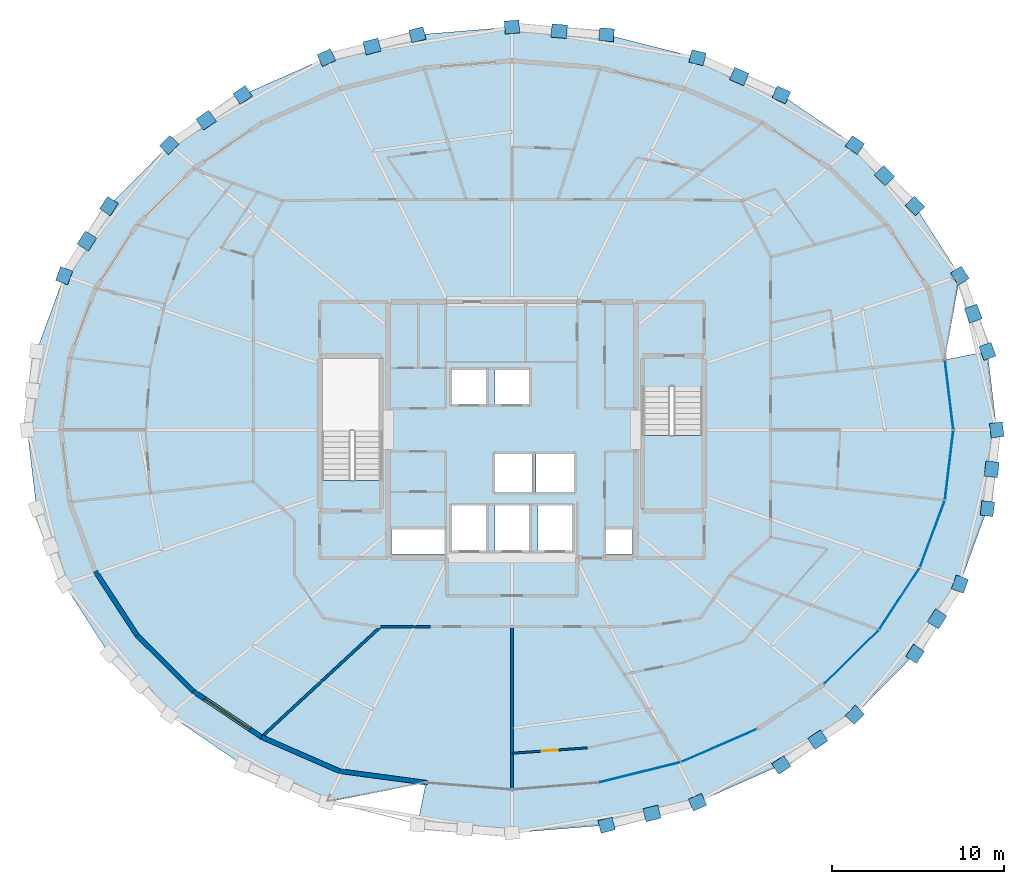
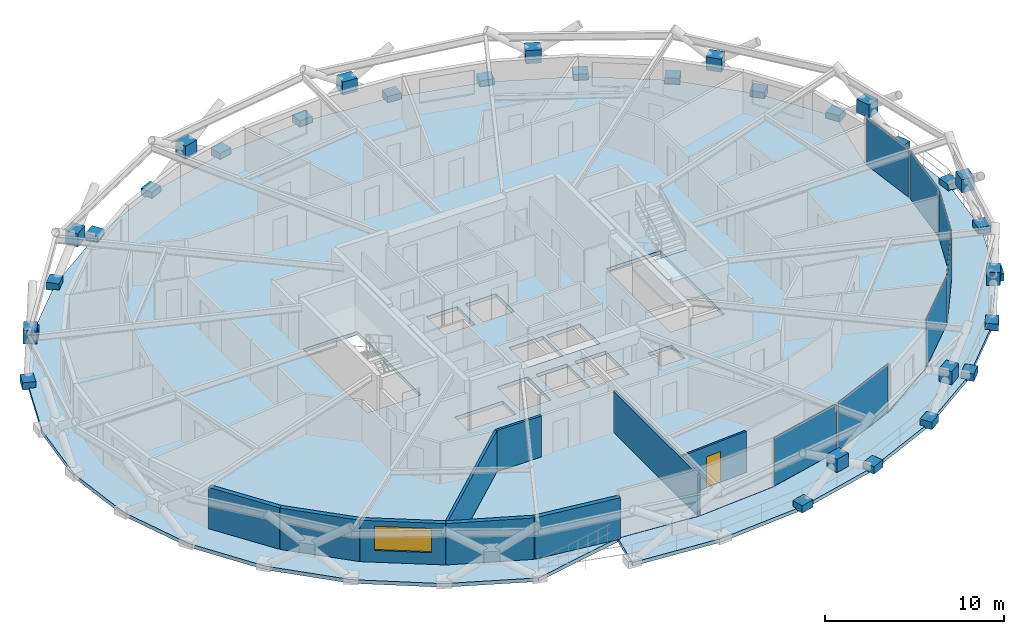
# One storey, part 13 of 19: 40 plates, 9 walls, 3 slabs, 1 door, 1 window, 2 openings, 3 elements without a shape of their own.
"""IFC4 building model written with IfcOpenShell, lengths in metres."""

import ifcopenshell
import ifcopenshell.guid

model = None  # the IFC model being written
_history = None  # IfcOwnerHistory: only IFC2X3 demands one
_inside = {}  # id of a spatial element -> (the spatial element, [elements in it])
_under = {}  # id of a project, library or spatial element -> (it, [spatial elements below it])
_declared = {}  # id of a project -> (the project, [libraries it declares])
_typed = {}  # id of a type object -> (the type object, [elements of that type])
_made_of = {}  # id of a material, layer set ... -> (it, [elements and type objects made of it])


def new_model(schema):
    """Start an empty IFC model of exactly this schema.

    Asked for "IFC4X3", IfcOpenShell would pick the latest addendum, in which some entities
    have other attributes; the version numbers below select the first issue.
    IFC2X3 requires an IfcOwnerHistory on every rooted entity: one is made here for all.
    """
    global model, _history
    if schema == "IFC4X3":
        model = ifcopenshell.file(schema_version=(4, 3, 0, 0))
    else:
        model = ifcopenshell.file(schema=schema)
    _inside.clear()
    _under.clear()
    _declared.clear()
    _typed.clear()
    _made_of.clear()
    _history = None
    if model.schema == "IFC2X3":
        org = make("IfcOrganization", Name="unknown")
        user = make(
            "IfcPersonAndOrganization",
            ThePerson=make("IfcPerson", FamilyName="unknown"),
            TheOrganization=org,
        )
        app = make(
            "IfcApplication",
            ApplicationDeveloper=org,
            Version="unknown",
            ApplicationFullName="unknown",
            ApplicationIdentifier="unknown",
        )
        _history = make(
            "IfcOwnerHistory",
            OwningUser=user,
            OwningApplication=app,
            ChangeAction="ADDED",
            CreationDate=0,
        )
    return model


def make(cls, **values):
    """One entity of the class cls with the attributes given. An attribute that is None is left unset."""
    return model.create_entity(
        cls, **{name: value for name, value in values.items() if value is not None}
    )


def rooted(cls, **values):
    """An entity with a GlobalId (a new one), such as an element, a storey or a relation."""
    return make(cls, GlobalId=ifcopenshell.guid.new(), OwnerHistory=_history, **values)


def si_unit(unit_type, name, prefix=None):
    """IfcSIUnit, for example si_unit("LENGTHUNIT", "METRE", prefix="MILLI")."""
    return make("IfcSIUnit", UnitType=unit_type, Prefix=prefix, Name=name)


def assignment(units):
    """IfcUnitAssignment: the units of a project."""
    return None if units is None else make("IfcUnitAssignment", Units=units)


def point(xyz):
    """IfcCartesianPoint."""
    return None if xyz is None else make("IfcCartesianPoint", Coordinates=xyz)


def direction(xyz):
    """IfcDirection."""
    return None if xyz is None else make("IfcDirection", DirectionRatios=xyz)


def frame(location, z_axis=None, x_axis=None):
    """IfcAxis2Placement3D, a coordinate frame: its origin and axes. An axis left out is left unset."""
    return make(
        "IfcAxis2Placement3D",
        Location=point(location),
        Axis=direction(z_axis),
        RefDirection=direction(x_axis),
    )


def frame_2d(location, x_axis=None):
    """IfcAxis2Placement2D, a coordinate frame in the plane: its origin and x axis."""
    return make(
        "IfcAxis2Placement2D", Location=point(location), RefDirection=direction(x_axis)
    )


def origin():
    """The frame at (0, 0, 0) with its axes left unset."""
    return frame((0.0, 0.0, 0.0))


def origin_2d():
    """The frame at (0, 0) in the plane with its x axis left unset."""
    return frame_2d((0.0, 0.0))


def place(relative_to, where):
    """IfcLocalPlacement: puts the frame where relative to a parent placement (None: the world)."""
    return make(
        "IfcLocalPlacement", PlacementRelTo=relative_to, RelativePlacement=where
    )


def context(
    kind, dimensions, precision=None, world=None, true_north=None, identifier=None
):
    """IfcGeometricRepresentationContext, for example the 3D "Model" context."""
    return make(
        "IfcGeometricRepresentationContext",
        ContextIdentifier=identifier,
        ContextType=kind,
        CoordinateSpaceDimension=dimensions,
        Precision=precision,
        WorldCoordinateSystem=world,
        TrueNorth=true_north,
    )


def subcontext(parent, identifier, kind, view, scale=None):
    """IfcGeometricRepresentationSubContext, for example "Body" below "Model"."""
    return make(
        "IfcGeometricRepresentationSubContext",
        ContextIdentifier=identifier,
        ContextType=kind,
        ParentContext=parent,
        TargetScale=scale,
        TargetView=view,
    )


def project(units=None, contexts=None):
    """IfcProject with its units and contexts."""
    return rooted(
        "IfcProject",
        Name="project",
        RepresentationContexts=contexts,
        UnitsInContext=assignment(units),
    )


def spatial(cls, under=None, at=None, **own):
    """A site, building, storey or space (cls), placed at a placement, below another one or the project."""
    s = rooted(cls, ObjectPlacement=at, **own)
    if under is not None:
        _under.setdefault(under.id(), (under, []))[1].append(s)
    return s


def polyline(points):
    """IfcPolyline through the points."""
    return make("IfcPolyline", Points=[point(p) for p in points])


def profile(cls, at=None, kind="AREA", **sizes):
    """A parametric profile (cls). Its sizes go by their IFC names, for example OverallWidth=200.0."""
    return make(cls, ProfileType=kind, Position=at, **sizes)


def rectangle(**sizes):
    """IfcRectangleProfileDef."""
    return profile("IfcRectangleProfileDef", **sizes)


def outline(outer, holes=None, kind="AREA"):
    """IfcArbitraryClosedProfileDef: a profile drawn as a closed curve; with holes, ...WithVoids."""
    if holes is None:
        return make("IfcArbitraryClosedProfileDef", ProfileType=kind, OuterCurve=outer)
    return make(
        "IfcArbitraryProfileDefWithVoids",
        ProfileType=kind,
        OuterCurve=outer,
        InnerCurves=holes,
    )


def extrude(swept, where, along, depth):
    """IfcExtrudedAreaSolid: the profile swept, set in the frame where, extruded along a direction by depth."""
    return make(
        "IfcExtrudedAreaSolid",
        SweptArea=swept,
        Position=where,
        ExtrudedDirection=direction(along),
        Depth=depth,
    )


def shape(context_of_items, identifier, shape_type, items):
    """IfcShapeRepresentation: the items that make up one representation, for example the "Body"."""
    return make(
        "IfcShapeRepresentation",
        ContextOfItems=context_of_items,
        RepresentationIdentifier=identifier,
        RepresentationType=shape_type,
        Items=items,
    )


def material(Name=None, Category=None):
    """IfcMaterial."""
    return make("IfcMaterial", Name=Name, Category=Category)


def layer(
    of_material, thickness, ventilated=None, Name=None, Category=None, Priority=None
):
    """IfcMaterialLayer: one layer of a wall or slab, of a material (None: an air gap)."""
    return make(
        "IfcMaterialLayer",
        Material=of_material,
        LayerThickness=thickness,
        IsVentilated=ventilated,
        Name=Name,
        Category=Category,
        Priority=Priority,
    )


def layer_set(layers, Name=None):
    """IfcMaterialLayerSet."""
    return make("IfcMaterialLayerSet", MaterialLayers=layers, LayerSetName=Name)


def made_of(thing, what):
    """Note that an element or type object is made of a material, layer set ...; save() writes the relation."""
    if what is not None:
        _made_of.setdefault(what.id(), (what, []))[1].append(thing)
    return thing


def type_object(cls, material=None, **own):
    """A type object (cls), such as IfcWallType, which elements share."""
    return made_of(rooted(cls, **own), material)


def element(
    cls,
    number,
    at=None,
    inside=None,
    cuts=None,
    type_object=None,
    material=None,
    context=None,
    identifier="Body",
    shape_type=None,
    held_by="IfcProductDefinitionShape",
    body=None,
    shapes=None,
    **own,
):
    """One element of the class cls, such as IfcWall. Its Tag is "e" and its number.

    at: its placement. inside: the storey or other place that contains it. cuts: it is an
    opening in that element (IfcRelVoidsElement). A single representation is given by context,
    identifier, shape_type and body (its items); several are given by shapes. held_by: the class
    of the entity that holds the representations. save() writes the other relations.
    """
    e = rooted(cls, Tag="e%d" % number, ObjectPlacement=at, **own)
    if body is not None:
        shapes = [shape(context, identifier, shape_type, body)]
    if shapes is not None:
        e.Representation = make(held_by, Representations=shapes)
    if inside is not None:
        _inside.setdefault(inside.id(), (inside, []))[1].append(e)
    if cuts is not None:
        rooted(
            "IfcRelVoidsElement", RelatingBuildingElement=cuts, RelatedOpeningElement=e
        )
    if type_object is not None:
        _typed.setdefault(type_object.id(), (type_object, []))[1].append(e)
    return made_of(e, material)


def fill(opening, filler):
    """IfcRelFillsElement: the door or window that sits in an opening."""
    return rooted(
        "IfcRelFillsElement",
        RelatingOpeningElement=opening,
        RelatedBuildingElement=filler,
    )


def aggregate(whole, parts):
    """IfcRelAggregates: a whole, such as a stair, and the parts it consists of."""
    return rooted("IfcRelAggregates", RelatingObject=whole, RelatedObjects=parts)


def save(model, path):
    """Write the relations noted so far, then the file.

    IfcRelAggregates (storeys below a building ...), IfcRelContainedInSpatialStructure (elements
    in a storey), IfcRelDefinesByType, IfcRelAssociatesMaterial and IfcRelDeclares: one each for
    every whole, place, type object, material and project.
    """
    for whole, parts in _under.values():
        aggregate(whole, parts)
    for where, things in _inside.values():
        rooted(
            "IfcRelContainedInSpatialStructure",
            RelatedElements=things,
            RelatingStructure=where,
        )
    for kind, things in _typed.values():
        rooted("IfcRelDefinesByType", RelatedObjects=things, RelatingType=kind)
    for what, things in _made_of.values():
        rooted("IfcRelAssociatesMaterial", RelatedObjects=things, RelatingMaterial=what)
    for by, libraries in _declared.values():
        rooted("IfcRelDeclares", RelatingContext=by, RelatedDefinitions=libraries)
    model.write(path)


model = new_model("IFC4")

# Units and contexts
model_context = context("Model", 3, precision=1e-05, world=origin(), true_north=direction((0.0, 1.0)))
body_context = subcontext(model_context, "Body", "Model", "MODEL_VIEW")
ifc_project = project(units=[si_unit("LENGTHUNIT", "METRE"), si_unit("AREAUNIT", "SQUARE_METRE"), si_unit("VOLUMEUNIT", "CUBIC_METRE"), si_unit("PLANEANGLEUNIT", "RADIAN"), si_unit("MASSUNIT", "GRAM", prefix="KILO")], contexts=[model_context])

# Site, building, storey
site_placement = place(None, origin())
site = spatial("IfcSite", under=ifc_project, at=site_placement, CompositionType="ELEMENT")
building_placement = place(site_placement, origin())
building = spatial("IfcBuilding", under=site, at=building_placement, Name="Veldorina Hangang Commons", CompositionType="ELEMENT")
storey_placement = place(building_placement, frame((0.0, 0.0, 160.39990234375)))
storey = spatial("IfcBuildingStorey", under=building, at=storey_placement, Name="L41", CompositionType="ELEMENT", Elevation=160.39990234375)

# Curtain wall, plates
ifc_material_1 = material(Name="Glass Low-E Triple IGU", Category="glass")
ifc_layer_1 = layer(ifc_material_1, 0.179931640625)
ifc_layer_set_1 = layer_set([ifc_layer_1], Name="Glass Low-E Triple IGU")
curtain_wall_type = type_object("IfcCurtainWallType", Name="CW-SYS-Z2", PredefinedType="NOTDEFINED", material=ifc_layer_set_1)
curtain_wall_1_placement = place(storey_placement, origin())
curtain_wall_1 = element("IfcCurtainWall", 1, at=curtain_wall_1_placement, inside=storey, type_object=curtain_wall_type, Name="L41 unitised curtain wall CW-L41-R1", PredefinedType="NOTDEFINED")
ifc_layer_2 = layer(ifc_material_1, 0.0400390625)
ifc_layer_set_2 = layer_set([ifc_layer_2], Name="Glass Low-E Triple IGU")
plate_type_1 = type_object("IfcPlateType", Name="CW-PNL-VIS", PredefinedType="CURTAIN_PANEL", material=ifc_layer_set_2)
plate_1_placement = place(storey_placement, frame((39.415283203125, 4.084716796875, 0.01513671875), z_axis=(0.0, 0.0, 1.0), x_axis=(0.970796090839, 0.239906127499, 0.0)))
plate_1 = element("IfcPlate", 2, at=plate_1_placement, type_object=plate_type_1, Name="CW-L41-R1 facet 3 glazed vision panel", PredefinedType="CURTAIN_PANEL", context=body_context, shape_type="SweptSolid", body=[
    extrude(rectangle(XDim=4.7802734375, YDim=0.0400390625, at=origin_2d()), origin(), (0.0, 0.0, 1.0), 3.280029296875),
])
plate_2_placement = place(storey_placement, frame((44.0419921875, 5.645751953125, 0.01513671875), z_axis=(0.0, 0.0, 1.0), x_axis=(0.916844196158, 0.399245187787, 0.0)))
plate_2 = element("IfcPlate", 3, at=plate_2_placement, type_object=plate_type_1, Name="CW-L41-R1 facet 4 glazed vision panel", PredefinedType="CURTAIN_PANEL", context=body_context, shape_type="SweptSolid", body=[
    extrude(rectangle(XDim=4.660400390625, YDim=0.0400390625, at=origin_2d()), origin(), (0.0, 0.0, 1.0), 3.280029296875),
])
aggregate(curtain_wall_1, [plate_1, plate_2])

curtain_wall_2_placement = place(storey_placement, origin())
curtain_wall_2 = element("IfcCurtainWall", 4, at=curtain_wall_2_placement, inside=storey, type_object=curtain_wall_type, Name="L41 unitised curtain wall CW-L41-R2", PredefinedType="NOTDEFINED")
plate_3_placement = place(storey_placement, frame((51.74658203125, 10.79736328125, 0.01513671875), z_axis=(0.0, 0.0, 1.0), x_axis=(0.709681411465, 0.70452274216, 0.0)))
plate_3 = element("IfcPlate", 5, at=plate_3_placement, type_object=plate_type_1, Name="CW-L41-R2 facet 1 glazed vision panel", PredefinedType="CURTAIN_PANEL", context=body_context, shape_type="SweptSolid", body=[
    extrude(rectangle(XDim=4.318115234375, YDim=0.0400390625, at=origin_2d()), origin(), (0.0, 0.0, 1.0), 3.280029296875),
])
plate_4_placement = place(storey_placement, frame((54.52880859375, 14.189453125, 0.01513671875), z_axis=(0.0, 0.0, 1.0), x_axis=(0.548570522359, 0.836104288949, 0.0)))
plate_4 = element("IfcPlate", 6, at=plate_4_placement, type_object=plate_type_1, Name="CW-L41-R2 facet 2 glazed vision panel", PredefinedType="CURTAIN_PANEL", context=body_context, shape_type="SweptSolid", body=[
    extrude(rectangle(XDim=4.14404296875, YDim=0.0400390625, at=origin_2d()), origin(), (0.0, 0.0, 1.0), 3.280029296875),
])
plate_5_placement = place(storey_placement, frame((56.4453125, 17.958740234375, 0.01513671875), z_axis=(0.0, 0.0, 1.0), x_axis=(0.348931912065, 0.937148078343, 0.0)))
plate_5 = element("IfcPlate", 7, at=plate_5_placement, type_object=plate_type_1, Name="CW-L41-R2 facet 3 glazed vision panel", PredefinedType="CURTAIN_PANEL", context=body_context, shape_type="SweptSolid", body=[
    extrude(rectangle(XDim=4.006103515625, YDim=0.0400390625, at=origin_2d()), origin(), (0.0, 0.0, 1.0), 3.280029296875),
])
plate_6_placement = place(storey_placement, frame((57.422119140625, 21.960205078125, 0.01513671875), z_axis=(0.0, 0.0, 1.0), x_axis=(0.120015549748, 0.992772012004, 0.0)))
plate_6 = element("IfcPlate", 8, at=plate_6_placement, type_object=plate_type_1, Name="CW-L41-R2 facet 4 glazed vision panel", PredefinedType="CURTAIN_PANEL", context=body_context, shape_type="SweptSolid", body=[
    extrude(rectangle(XDim=3.929443359375, YDim=0.0400390625, at=origin_2d()), origin(), (0.0, 0.0, 1.0), 3.280029296875),
])
plate_7_placement = place(storey_placement, frame((57.422119140625, 26.039794921875, 0.01513671875), z_axis=(0.0, 0.0, 1.0), x_axis=(-0.120015549748, 0.992772012004, 0.0)))
plate_7 = element("IfcPlate", 9, at=plate_7_placement, type_object=plate_type_1, Name="CW-L41-R2 facet 5 glazed vision panel", PredefinedType="CURTAIN_PANEL", context=body_context, shape_type="SweptSolid", body=[
    extrude(rectangle(XDim=3.929443359375, YDim=0.0400390625, at=origin_2d()), origin(), (0.0, 0.0, 1.0), 3.280029296875),
])
aggregate(curtain_wall_2, [plate_3, plate_4, plate_5, plate_6, plate_7])

# Plates
ifc_material_2 = material(Name="Steel SM460-TMC", Category="steel")
ifc_layer_3 = layer(ifc_material_2, 0.035888671875)
ifc_layer_set_3 = layer_set([ifc_layer_3], Name="Steel SM460-TMC")
plate_type_2 = type_object("IfcPlateType", Name="PL-STAR-36", PredefinedType="USERDEFINED", material=ifc_layer_set_3)
for number, where, z_axis, x_axis, name in (
    (10, (60.188720703125, 24.0, -0.08984375), (0.0, 0.0, 1.0), (-0.11765872278, 0.993054089642, 0.0), "L41 diagrid star-node gusset plate 00"),
    (11, (59.647216796875, 28.5712890625, -0.08984375), (0.0, 0.0, 1.0), (-0.342807258261, 0.939405760938, 0.0), "L41 diagrid star-node gusset plate 01"),
):
    element("IfcPlate", number, at=place(storey_placement, frame(where, z_axis=z_axis, x_axis=x_axis)), inside=storey, type_object=plate_type_2, Name=name, ObjectType="GUSSET PLATE", PredefinedType="USERDEFINED", context=body_context, shape_type="SweptSolid", body=[
        extrude(rectangle(XDim=0.85009765625, YDim=0.75, at=origin_2d()), origin(), (0.0, 0.0, 1.0), 0.5),
    ])
plate_8_placement = place(storey_placement, frame((58.822998046875, 30.7646484375, 1.3515625), z_axis=(0.0, 0.0, 1.0), x_axis=(-0.342807258261, 0.939405760938, 0.0)))
element("IfcPlate", 12, at=plate_8_placement, inside=storey, type_object=plate_type_2, Name="L41 diagrid X-crossing star-node gusset plate 01", ObjectType="GUSSET PLATE", PredefinedType="USERDEFINED", context=body_context, shape_type="SweptSolid", body=[
    extrude(rectangle(XDim=0.89990234375, YDim=0.780029296875, at=origin_2d()), origin(), (0.0, 0.0, 1.0), 0.89990234375),
])
for number, where, z_axis, x_axis, name in (
    (13, (58.043212890625, 32.967041015625, -0.08984375), (0.0, 0.0, 1.0), (-0.540857034896, 0.841114539051, 0.0), "L41 diagrid star-node gusset plate 02"),
    (14, (55.43798828125, 37.018310546875, -0.08984375), (0.0, 0.0, 1.0), (-0.702550613827, 0.711633778717, 0.0), "L41 diagrid star-node gusset plate 03"),
):
    element("IfcPlate", number, at=place(storey_placement, frame(where, z_axis=z_axis, x_axis=x_axis)), inside=storey, type_object=plate_type_2, Name=name, ObjectType="GUSSET PLATE", PredefinedType="USERDEFINED", context=body_context, shape_type="SweptSolid", body=[
        extrude(rectangle(XDim=0.85009765625, YDim=0.75, at=origin_2d()), origin(), (0.0, 0.0, 1.0), 0.5),
    ])
plate_9_placement = place(storey_placement, frame((53.66748046875, 38.783447265625, 1.3515625), z_axis=(0.0, 0.0, 1.0), x_axis=(-0.702550613827, 0.711633778717, 0.0)))
element("IfcPlate", 15, at=plate_9_placement, inside=storey, type_object=plate_type_2, Name="L41 diagrid X-crossing star-node gusset plate 03", ObjectType="GUSSET PLATE", PredefinedType="USERDEFINED", context=body_context, shape_type="SweptSolid", body=[
    extrude(rectangle(XDim=0.89990234375, YDim=0.780029296875, at=origin_2d()), origin(), (0.0, 0.0, 1.0), 0.89990234375),
])
for number, where, z_axis, x_axis, name in (
    (16, (51.9326171875, 40.569091796875, -0.08984375), (0.0, 0.0, 1.0), (-0.826078623223, 0.563554884865, 0.0), "L41 diagrid star-node gusset plate 04"),
    (17, (47.660888671875, 43.483154296875, -0.08984375), (0.0, 0.0, 1.0), (-0.913857539554, 0.406034970662, 0.0), "L41 diagrid star-node gusset plate 05"),
):
    element("IfcPlate", number, at=place(storey_placement, frame(where, z_axis=z_axis, x_axis=x_axis)), inside=storey, type_object=plate_type_2, Name=name, ObjectType="GUSSET PLATE", PredefinedType="USERDEFINED", context=body_context, shape_type="SweptSolid", body=[
        extrude(rectangle(XDim=0.85009765625, YDim=0.75, at=origin_2d()), origin(), (0.0, 0.0, 1.0), 0.5),
    ])
plate_10_placement = place(storey_placement, frame((45.21337890625, 44.551513671875, 1.3515625), z_axis=(0.0, 0.0, 1.0), x_axis=(-0.913857539554, 0.406034970662, 0.0)))
element("IfcPlate", 18, at=plate_10_placement, inside=storey, type_object=plate_type_2, Name="L41 diagrid X-crossing star-node gusset plate 05", ObjectType="GUSSET PLATE", PredefinedType="USERDEFINED", context=body_context, shape_type="SweptSolid", body=[
    extrude(rectangle(XDim=0.89990234375, YDim=0.780029296875, at=origin_2d()), origin(), (0.0, 0.0, 1.0), 0.89990234375),
])
for number, where, z_axis, x_axis, name in (
    (19, (42.787353515625, 45.6484375, -0.08984375), (0.0, 0.0, 1.0), (-0.969646250516, 0.24451206281, 0.0), "L41 diagrid star-node gusset plate 06"),
    (20, (37.49951171875, 46.98193359375, -0.08984375), (0.0, 0.0, 1.0), (-0.996665928034, 0.081590611568, 0.0), "L41 diagrid star-node gusset plate 07"),
):
    element("IfcPlate", number, at=place(storey_placement, frame(where, z_axis=z_axis, x_axis=x_axis)), inside=storey, type_object=plate_type_2, Name=name, ObjectType="GUSSET PLATE", PredefinedType="USERDEFINED", context=body_context, shape_type="SweptSolid", body=[
        extrude(rectangle(XDim=0.85009765625, YDim=0.75, at=origin_2d()), origin(), (0.0, 0.0, 1.0), 0.5),
    ])
plate_11_placement = place(storey_placement, frame((34.747314453125, 47.19091796875, 1.3515625), z_axis=(0.0, 0.0, 1.0), x_axis=(-0.996665928034, 0.081590611568, 0.0)))
element("IfcPlate", 21, at=plate_11_placement, inside=storey, type_object=plate_type_2, Name="L41 diagrid X-crossing star-node gusset plate 07", ObjectType="GUSSET PLATE", PredefinedType="USERDEFINED", context=body_context, shape_type="SweptSolid", body=[
    extrude(rectangle(XDim=0.89990234375, YDim=0.780029296875, at=origin_2d()), origin(), (0.0, 0.0, 1.0), 0.89990234375),
])
for number, where, z_axis, x_axis, name in (
    (22, (32.0, 47.43212890625, -0.08984375), (0.0, 0.0, 1.0), (-0.996665928034, -0.081590611568, 0.0), "L41 diagrid star-node gusset plate 08"),
    (23, (26.50048828125, 46.98193359375, -0.08984375), (0.0, 0.0, 1.0), (-0.969646250516, -0.24451206281, 0.0), "L41 diagrid star-node gusset plate 09"),
):
    element("IfcPlate", number, at=place(storey_placement, frame(where, z_axis=z_axis, x_axis=x_axis)), inside=storey, type_object=plate_type_2, Name=name, ObjectType="GUSSET PLATE", PredefinedType="USERDEFINED", context=body_context, shape_type="SweptSolid", body=[
        extrude(rectangle(XDim=0.85009765625, YDim=0.75, at=origin_2d()), origin(), (0.0, 0.0, 1.0), 0.5),
    ])
plate_12_placement = place(storey_placement, frame((23.86328125, 46.299560546875, 1.3515625), z_axis=(0.0, 0.0, 1.0), x_axis=(-0.969646250516, -0.24451206281, 0.0)))
element("IfcPlate", 24, at=plate_12_placement, inside=storey, type_object=plate_type_2, Name="L41 diagrid X-crossing star-node gusset plate 09", ObjectType="GUSSET PLATE", PredefinedType="USERDEFINED", context=body_context, shape_type="SweptSolid", body=[
    extrude(rectangle(XDim=0.89990234375, YDim=0.780029296875, at=origin_2d()), origin(), (0.0, 0.0, 1.0), 0.89990234375),
])
for number, where, z_axis, x_axis, name in (
    (25, (21.212646484375, 45.6484375, -0.08984375), (0.0, 0.0, 1.0), (-0.913857539554, -0.406034970662, 0.0), "L41 diagrid star-node gusset plate 10"),
    (26, (16.339111328125, 43.483154296875, -0.08984375), (0.0, 0.0, 1.0), (-0.826078623223, -0.563554884865, 0.0), "L41 diagrid star-node gusset plate 11"),
):
    element("IfcPlate", number, at=place(storey_placement, frame(where, z_axis=z_axis, x_axis=x_axis)), inside=storey, type_object=plate_type_2, Name=name, ObjectType="GUSSET PLATE", PredefinedType="USERDEFINED", context=body_context, shape_type="SweptSolid", body=[
        extrude(rectangle(XDim=0.85009765625, YDim=0.75, at=origin_2d()), origin(), (0.0, 0.0, 1.0), 0.5),
    ])
plate_13_placement = place(storey_placement, frame((14.218017578125, 42.013427734375, 1.3515625), z_axis=(0.0, 0.0, 1.0), x_axis=(-0.826078623223, -0.563554884865, 0.0)))
element("IfcPlate", 27, at=plate_13_placement, inside=storey, type_object=plate_type_2, Name="L41 diagrid X-crossing star-node gusset plate 11", ObjectType="GUSSET PLATE", PredefinedType="USERDEFINED", context=body_context, shape_type="SweptSolid", body=[
    extrude(rectangle(XDim=0.89990234375, YDim=0.780029296875, at=origin_2d()), origin(), (0.0, 0.0, 1.0), 0.89990234375),
])
for number, where, z_axis, x_axis, name in (
    (28, (12.0673828125, 40.569091796875, -0.08984375), (0.0, 0.0, 1.0), (-0.702550613827, -0.711633778717, 0.0), "L41 diagrid star-node gusset plate 12"),
    (29, (8.56201171875, 37.018310546875, -0.08984375), (0.0, 0.0, 1.0), (-0.540857034896, -0.841114539051, 0.0), "L41 diagrid star-node gusset plate 13"),
):
    element("IfcPlate", number, at=place(storey_placement, frame(where, z_axis=z_axis, x_axis=x_axis)), inside=storey, type_object=plate_type_2, Name=name, ObjectType="GUSSET PLATE", PredefinedType="USERDEFINED", context=body_context, shape_type="SweptSolid", body=[
        extrude(rectangle(XDim=0.85009765625, YDim=0.75, at=origin_2d()), origin(), (0.0, 0.0, 1.0), 0.5),
    ])
plate_14_placement = place(storey_placement, frame((7.280029296875, 34.98486328125, 1.3515625), z_axis=(0.0, 0.0, 1.0), x_axis=(-0.540857034896, -0.841114539051, 0.0)))
element("IfcPlate", 30, at=plate_14_placement, inside=storey, type_object=plate_type_2, Name="L41 diagrid X-crossing star-node gusset plate 13", ObjectType="GUSSET PLATE", PredefinedType="USERDEFINED", context=body_context, shape_type="SweptSolid", body=[
    extrude(rectangle(XDim=0.89990234375, YDim=0.780029296875, at=origin_2d()), origin(), (0.0, 0.0, 1.0), 0.89990234375),
])
for number, where, z_axis, x_axis, name in (
    (31, (5.956787109375, 32.967041015625, -0.08984375), (0.0, 0.0, 1.0), (-0.342807258261, -0.939405760938, 0.0), "L41 diagrid star-node gusset plate 14"),
    (32, (37.49951171875, 1.01806640625, -0.08984375), (0.0, 0.0, 1.0), (0.969646250516, 0.24451206281, 0.0), "L41 diagrid star-node gusset plate 25"),
):
    element("IfcPlate", number, at=place(storey_placement, frame(where, z_axis=z_axis, x_axis=x_axis)), inside=storey, type_object=plate_type_2, Name=name, ObjectType="GUSSET PLATE", PredefinedType="USERDEFINED", context=body_context, shape_type="SweptSolid", body=[
        extrude(rectangle(XDim=0.85009765625, YDim=0.75, at=origin_2d()), origin(), (0.0, 0.0, 1.0), 0.5),
    ])
plate_15_placement = place(storey_placement, frame((40.13671875, 1.700439453125, 1.3515625), z_axis=(0.0, 0.0, 1.0), x_axis=(0.969646250516, 0.24451206281, 0.0)))
element("IfcPlate", 33, at=plate_15_placement, inside=storey, type_object=plate_type_2, Name="L41 diagrid X-crossing star-node gusset plate 25", ObjectType="GUSSET PLATE", PredefinedType="USERDEFINED", context=body_context, shape_type="SweptSolid", body=[
    extrude(rectangle(XDim=0.89990234375, YDim=0.780029296875, at=origin_2d()), origin(), (0.0, 0.0, 1.0), 0.89990234375),
])
for number, where, z_axis, x_axis, name in (
    (34, (42.787353515625, 2.3515625, -0.08984375), (0.0, 0.0, 1.0), (0.913857539554, 0.406034970662, 0.0), "L41 diagrid star-node gusset plate 26"),
    (35, (47.660888671875, 4.516845703125, -0.08984375), (0.0, 0.0, 1.0), (0.826078623223, 0.563554884865, 0.0), "L41 diagrid star-node gusset plate 27"),
):
    element("IfcPlate", number, at=place(storey_placement, frame(where, z_axis=z_axis, x_axis=x_axis)), inside=storey, type_object=plate_type_2, Name=name, ObjectType="GUSSET PLATE", PredefinedType="USERDEFINED", context=body_context, shape_type="SweptSolid", body=[
        extrude(rectangle(XDim=0.85009765625, YDim=0.75, at=origin_2d()), origin(), (0.0, 0.0, 1.0), 0.5),
    ])
plate_16_placement = place(storey_placement, frame((49.781982421875, 5.986572265625, 1.3515625), z_axis=(0.0, 0.0, 1.0), x_axis=(0.826078623223, 0.563554884865, 0.0)))
element("IfcPlate", 36, at=plate_16_placement, inside=storey, type_object=plate_type_2, Name="L41 diagrid X-crossing star-node gusset plate 27", ObjectType="GUSSET PLATE", PredefinedType="USERDEFINED", context=body_context, shape_type="SweptSolid", body=[
    extrude(rectangle(XDim=0.89990234375, YDim=0.780029296875, at=origin_2d()), origin(), (0.0, 0.0, 1.0), 0.89990234375),
])
for number, where, z_axis, x_axis, name in (
    (37, (51.9326171875, 7.430908203125, -0.08984375), (0.0, 0.0, 1.0), (0.702550613827, 0.711633778717, 0.0), "L41 diagrid star-node gusset plate 28"),
    (38, (55.43798828125, 10.981689453125, -0.08984375), (0.0, 0.0, 1.0), (0.540857034896, 0.841114539051, 0.0), "L41 diagrid star-node gusset plate 29"),
):
    element("IfcPlate", number, at=place(storey_placement, frame(where, z_axis=z_axis, x_axis=x_axis)), inside=storey, type_object=plate_type_2, Name=name, ObjectType="GUSSET PLATE", PredefinedType="USERDEFINED", context=body_context, shape_type="SweptSolid", body=[
        extrude(rectangle(XDim=0.85009765625, YDim=0.75, at=origin_2d()), origin(), (0.0, 0.0, 1.0), 0.5),
    ])
plate_17_placement = place(storey_placement, frame((56.719970703125, 13.01513671875, 1.3515625), z_axis=(0.0, 0.0, 1.0), x_axis=(0.540857034896, 0.841114539051, 0.0)))
element("IfcPlate", 39, at=plate_17_placement, inside=storey, type_object=plate_type_2, Name="L41 diagrid X-crossing star-node gusset plate 29", ObjectType="GUSSET PLATE", PredefinedType="USERDEFINED", context=body_context, shape_type="SweptSolid", body=[
    extrude(rectangle(XDim=0.89990234375, YDim=0.780029296875, at=origin_2d()), origin(), (0.0, 0.0, 1.0), 0.89990234375),
])
for number, where, z_axis, x_axis, name in (
    (40, (58.043212890625, 15.032958984375, -0.08984375), (0.0, 0.0, 1.0), (0.342807258261, 0.939405760938, 0.0), "L41 diagrid star-node gusset plate 30"),
    (41, (59.647216796875, 19.4287109375, -0.08984375), (0.0, 0.0, 1.0), (0.11765872278, 0.993054089642, 0.0), "L41 diagrid star-node gusset plate 31"),
):
    element("IfcPlate", number, at=place(storey_placement, frame(where, z_axis=z_axis, x_axis=x_axis)), inside=storey, type_object=plate_type_2, Name=name, ObjectType="GUSSET PLATE", PredefinedType="USERDEFINED", context=body_context, shape_type="SweptSolid", body=[
        extrude(rectangle(XDim=0.85009765625, YDim=0.75, at=origin_2d()), origin(), (0.0, 0.0, 1.0), 0.5),
    ])
plate_18_placement = place(storey_placement, frame((59.89501953125, 21.7158203125, 1.3515625), z_axis=(0.0, 0.0, 1.0), x_axis=(0.11765872278, 0.993054089642, 0.0)))
element("IfcPlate", 42, at=plate_18_placement, inside=storey, type_object=plate_type_2, Name="L41 diagrid X-crossing star-node gusset plate 31", ObjectType="GUSSET PLATE", PredefinedType="USERDEFINED", context=body_context, shape_type="SweptSolid", body=[
    extrude(rectangle(XDim=0.89990234375, YDim=0.780029296875, at=origin_2d()), origin(), (0.0, 0.0, 1.0), 0.89990234375),
])

# Slabs
ifc_material_3 = material(Name="Concrete C40/50", Category="concrete")
ifc_layer_4 = layer(ifc_material_3, 0.25)
ifc_layer_set_4 = layer_set([ifc_layer_4], Name="Concrete C40/50")
slab_type_1 = type_object("IfcSlabType", Name="SL-FLR-250", PredefinedType="FLOOR", material=ifc_layer_set_4)
slab_1_placement = place(storey_placement, frame((0.0, 0.0, -0.25)))
element("IfcSlab", 43, at=slab_1_placement, inside=storey, type_object=slab_type_1, Name="L41 tower structural floor slab", PredefinedType="FLOOR", context=body_context, shape_type="SweptSolid", body=[
    extrude(outline(polyline([(57.668701171875, 24.0), (57.175537109375, 28.079833984375), (58.043212890625, 32.967041015625), (55.43798828125, 37.018310546875), (51.9326171875, 40.569091796875), (47.660888671875, 43.483154296875), (42.787353515625, 45.6484375), (37.49951171875, 46.98193359375), (32.0, 47.43212890625), (26.50048828125, 46.98193359375), (21.212646484375, 45.6484375), (16.339111328125, 43.483154296875), (12.0673828125, 40.569091796875), (8.56201171875, 37.018310546875), (5.956787109375, 32.967041015625), (4.352783203125, 28.5712890625), (3.811279296875, 24.0), (4.352783203125, 19.4287109375), (5.956787109375, 15.032958984375), (8.56201171875, 10.981689453125), (12.0673828125, 7.430908203125), (16.339111328125, 4.516845703125), (21.212646484375, 2.3515625), (26.9921875, 3.489501953125), (32.0, 3.087890625), (37.0078125, 3.489501953125), (41.822998046875, 4.6796875), (46.2607421875, 6.612060546875), (50.150634765625, 9.212890625), (53.3427734375, 12.3818359375), (55.71484375, 15.997314453125), (57.175537109375, 19.920166015625), (57.668701171875, 24.0)]), holes=[polyline([(20.949951171875, 21.05810546875), (20.949951171875, 28.199951171875), (24.449951171875, 28.199951171875), (24.449951171875, 21.05810546875), (20.949951171875, 21.05810546875)]), polyline([(43.050048828125, 26.5419921875), (43.050048828125, 19.39990234375), (39.550048828125, 19.39990234375), (39.550048828125, 26.5419921875), (43.050048828125, 26.5419921875)]), polyline([(28.5, 27.5), (30.5, 27.5), (30.5, 25.5), (28.5, 25.5), (28.5, 27.5)]), polyline([(31.0, 27.5), (33.0, 27.5), (33.0, 25.5), (31.0, 25.5), (31.0, 27.5)]), polyline([(31.0, 22.60009765625), (33.199951171875, 22.60009765625), (33.199951171875, 20.39990234375), (31.0, 20.39990234375), (31.0, 22.60009765625)]), polyline([(33.39990234375, 22.60009765625), (35.60009765625, 22.60009765625), (35.60009765625, 20.39990234375), (33.39990234375, 20.39990234375), (33.39990234375, 22.60009765625)]), polyline([(28.5, 19.60009765625), (30.5, 19.60009765625), (30.5, 17.0), (28.5, 17.0), (28.5, 19.60009765625)]), polyline([(31.0, 19.60009765625), (33.0, 19.60009765625), (33.0, 17.0), (31.0, 17.0), (31.0, 19.60009765625)]), polyline([(33.5, 19.60009765625), (35.5, 19.60009765625), (35.5, 17.0), (33.5, 17.0), (33.5, 19.60009765625)]), polyline([(25.0, 18.25), (28.10009765625, 18.25), (28.10009765625, 16.800048828125), (25.0, 16.800048828125), (25.0, 18.25)]), polyline([(37.449951171875, 18.25), (39.0, 18.25), (39.0, 16.800048828125), (37.449951171875, 16.800048828125), (37.449951171875, 18.25)])]), origin(), (0.0, 0.0, 1.0), 0.25),
])
slab_2_placement = place(storey_placement, frame((0.0, 0.0, -0.25)))
element("IfcSlab", 44, at=slab_2_placement, inside=storey, type_object=slab_type_1, Name="L41 sky-garden loggia outdoor slab", PredefinedType="FLOOR", context=body_context, shape_type="SweptSolid", body=[
    extrude(outline(polyline([(59.647216796875, 28.5712890625), (60.188720703125, 24.0), (59.647216796875, 19.4287109375), (58.043212890625, 15.032958984375), (55.43798828125, 10.981689453125), (51.9326171875, 7.430908203125), (47.660888671875, 4.516845703125), (42.787353515625, 2.3515625), (37.49951171875, 1.01806640625), (32.0, 0.56787109375), (26.50048828125, 1.01806640625), (26.989013671875, 3.4736328125), (26.9931640625, 3.474609375), (31.998779296875, 3.07275390625), (32.0, 3.07275390625), (32.001220703125, 3.07275390625), (37.0087890625, 3.474609375), (37.010009765625, 3.474853515625), (37.01123046875, 3.47509765625), (41.82666015625, 4.6650390625), (41.827880859375, 4.665283203125), (41.8291015625, 4.665771484375), (46.266845703125, 6.598388671875), (46.26806640625, 6.598876953125), (46.26904296875, 6.599609375), (50.158935546875, 9.2001953125), (50.16015625, 9.201171875), (50.1611328125, 9.2021484375), (53.353515625, 12.37109375), (53.3544921875, 12.372314453125), (53.355224609375, 12.37353515625), (55.727294921875, 15.989013671875), (55.728271484375, 15.990478515625), (55.72900390625, 15.991943359375), (57.189697265625, 19.9150390625), (57.190185546875, 19.916748046875), (57.1904296875, 19.91845703125), (57.68359375, 23.998291015625), (57.683837890625, 24.0), (57.68359375, 24.001708984375), (57.19091796875, 28.079345703125), (57.19140625, 28.0830078125), (59.647216796875, 28.5712890625)])), origin(), (0.0, 0.0, 1.0), 0.25),
])

# Stair, slab
stair_type = type_object("IfcStairType", Name="STR-DOG-1650-20R", PredefinedType="HALF_TURN_STAIR", material=ifc_material_3)
stair_placement = place(storey_placement, origin())
stair = element("IfcStair", 45, at=stair_placement, inside=storey, type_object=stair_type, Name="L41 Exit stair ST-2", PredefinedType="HALF_TURN_STAIR")
ifc_layer_5 = layer(ifc_material_3, 0.199951171875)
ifc_layer_set_5 = layer_set([ifc_layer_5], Name="Concrete C40/50")
slab_type_2 = type_object("IfcSlabType", Name="SL-LND-200", PredefinedType="LANDING", material=ifc_layer_set_5)
slab_3_placement = place(storey_placement, frame((0.0, 0.0, 1.60009765625)))
slab_3 = element("IfcSlab", 46, at=slab_3_placement, type_object=slab_type_2, Name="ST-2 landing 1", PredefinedType="LANDING", context=body_context, shape_type="SweptSolid", body=[
    extrude(outline(polyline([(39.550048828125, 23.669921875), (39.550048828125, 19.39990234375), (43.050048828125, 19.39990234375), (43.050048828125, 23.669921875), (39.550048828125, 23.669921875)])), origin(), (0.0, 0.0, 1.0), 0.199951171875),
])
aggregate(stair, [slab_3])

# Walls
ifc_material_4 = material(Name="Stone Roman Travertine", Category="masonry")
ifc_layer_6 = layer(ifc_material_4, 0.280029296875)
ifc_layer_set_6 = layer_set([ifc_layer_6], Name="Stone Roman Travertine")
wall_type_1 = type_object("IfcWallType", Name="EW-TRAV-280", PredefinedType="STANDARD", material=ifc_layer_set_6)
wall_1_placement = place(storey_placement, frame((7.767578125, 15.782958984375, 0.0), z_axis=(0.0, 0.0, 1.0), x_axis=(0.546719569092, -0.837315778409, 0.0)))
element("IfcWall", 47, at=wall_1_placement, inside=storey, type_object=wall_type_1, Name="L41 travertine facade wall 18", PredefinedType="STANDARD", context=body_context, shape_type="SweptSolid", body=[
    extrude(rectangle(XDim=4.433349609375, YDim=0.280029296875, at=frame_2d((2.216796875, 0.0))), origin(), (0.0, 0.0, 1.0), 2.820068359375),
])
wall_2_placement = place(storey_placement, frame((10.19140625, 12.07080078125, 0.0), z_axis=(0.0, 0.0, 1.0), x_axis=(0.707980552396, -0.706231928922, 0.0)))
element("IfcWall", 48, at=wall_2_placement, inside=storey, type_object=wall_type_1, Name="L41 travertine facade wall 19", PredefinedType="STANDARD", context=body_context, shape_type="SweptSolid", body=[
    extrude(rectangle(XDim=4.607421875, YDim=0.280029296875, at=frame_2d((2.3037109375, 0.0))), origin(), (0.0, 0.0, 1.0), 2.820068359375),
])

# Wall, opening, window
wall_3_placement = place(storey_placement, frame((13.453369140625, 8.81689453125, 0.0), z_axis=(0.0, 0.0, 1.0), x_axis=(0.830052550014, -0.557685183787, 0.0)))
wall_3 = element("IfcWall", 49, at=wall_3_placement, inside=storey, type_object=wall_type_1, Name="L41 travertine facade wall 20", PredefinedType="STANDARD", context=body_context, shape_type="SweptSolid", body=[
    extrude(rectangle(XDim=4.788330078125, YDim=0.280029296875, at=frame_2d((2.39404296875, 0.0))), origin(), (0.0, 0.0, 1.0), 2.820068359375),
])
opening_1_placement = place(wall_3_placement, frame((0.794189453125, 0.0, 0.800048828125)))
opening_1 = element("IfcOpeningElement", 50, at=opening_1_placement, cuts=wall_3, Name="Opening W-01", PredefinedType="OPENING", context=body_context, shape_type="SweptSolid", body=[
    extrude(rectangle(XDim=3.199951171875, YDim=1.64990234375, at=frame_2d((1.60009765625, 0.824951171875))), frame((0.0, 0.14990234375, 0.0), z_axis=(0.0, -1.0, 0.0), x_axis=(1.0, 0.0, 0.0)), (0.0, 0.0, 1.0), 0.300048828125),
])
window_type = type_object("IfcWindowType", Name="WIN-TWR-3200", PartitioningType="SINGLE_PANEL", PredefinedType="WINDOW", material=ifc_material_1)
window_placement = place(opening_1_placement, origin())
window = element("IfcWindow", 51, at=window_placement, inside=storey, type_object=window_type, Name="L41 facade window 20", OverallHeight=1.64990234375, OverallWidth=3.199951171875, PartitioningType="SINGLE_PANEL", PredefinedType="WINDOW", context=body_context, shape_type="SweptSolid", body=[
    extrude(rectangle(XDim=3.199951171875, YDim=1.64990234375, at=frame_2d((1.60009765625, 0.824951171875))), frame((0.0, 0.030029296875, 0.0), z_axis=(0.0, -1.0, 0.0), x_axis=(1.0, 0.0, 0.0)), (0.0, 0.0, 1.0), 0.06005859375),
])
fill(opening_1, window)

# Walls
wall_4_placement = place(storey_placement, frame((17.427978515625, 6.146484375, 0.0), z_axis=(0.0, 0.0, 1.0), x_axis=(0.916141485862, -0.400855058447, 0.0)))
element("IfcWall", 52, at=wall_4_placement, inside=storey, type_object=wall_type_1, Name="L41 travertine facade wall 21", PredefinedType="STANDARD", context=body_context, shape_type="SweptSolid", body=[
    extrude(rectangle(XDim=4.94970703125, YDim=0.280029296875, at=frame_2d((2.474853515625, 0.0))), origin(), (0.0, 0.0, 1.0), 2.820068359375),
])
wall_5_placement = place(storey_placement, frame((21.962646484375, 4.162353515625, 0.0), z_axis=(0.0, 0.0, 1.0), x_axis=(0.99117002713, -0.132597048683, 0.0)))
element("IfcWall", 53, at=wall_5_placement, inside=storey, type_object=wall_type_1, Name="L41 travertine facade wall 22", PredefinedType="STANDARD", context=body_context, shape_type="SweptSolid", body=[
    extrude(rectangle(XDim=5.16650390625, YDim=0.280029296875, at=frame_2d((2.583251953125, 0.0))), origin(), (0.0, 0.0, 1.0), 2.820068359375),
])
ifc_material_5 = material(Name="Gypsum Fire-Rated Twin Stud Wall", Category="gypsum")
ifc_layer_7 = layer(ifc_material_5, 0.159912109375)
ifc_layer_set_7 = layer_set([ifc_layer_7], Name="Gypsum Fire-Rated Twin Stud Wall")
wall_type_2 = type_object("IfcWallType", Name="WL-FIRE-160", PredefinedType="SOLIDWALL", material=ifc_layer_set_7)
wall_6_placement = place(storey_placement, frame((24.349365234375, 12.550048828125, 0.0), z_axis=(0.0, 0.0, 1.0), x_axis=(1.0, 0.0, 0.0)))
element("IfcWall", 54, at=wall_6_placement, inside=storey, type_object=wall_type_2, Name="L41 U-corridor outer wall 21 069", PredefinedType="SOLIDWALL", context=body_context, shape_type="SweptSolid", body=[
    extrude(rectangle(XDim=2.907958984375, YDim=0.159912109375, at=frame_2d((1.4541015625, 0.0))), origin(), (0.0, 0.0, 1.0), 2.800048828125),
])
wall_7_placement = place(storey_placement, frame((24.349365234375, 12.550048828125, 0.0), z_axis=(0.0, 0.0, 1.0), x_axis=(-0.734022554493, -0.679125091199, 0.0)))
element("IfcWall", 55, at=wall_7_placement, inside=storey, type_object=wall_type_2, Name="L41 Unit party wall 21 118", PredefinedType="SOLIDWALL", context=body_context, shape_type="SweptSolid", body=[
    extrude(rectangle(XDim=9.379150390625, YDim=0.159912109375, at=frame_2d((4.689453125, 0.0))), origin(), (0.0, 0.0, 1.0), 2.800048828125),
])
wall_8_placement = place(storey_placement, frame((32.0, 12.550048828125, 0.0), z_axis=(0.0, 0.0, 1.0), x_axis=(0.0, -1.0, 0.0)))
element("IfcWall", 56, at=wall_8_placement, inside=storey, type_object=wall_type_2, Name="L41 Unit party wall 24 119", PredefinedType="SOLIDWALL", context=body_context, shape_type="SweptSolid", body=[
    extrude(rectangle(XDim=9.412353515625, YDim=0.159912109375, at=frame_2d((4.7060546875, 0.0))), origin(), (0.0, 0.0, 1.0), 2.800048828125),
])

# Wall, opening, door
ifc_material_6 = material(Name="Gypsum Acoustic Stud Partition", Category="gypsum")
ifc_layer_8 = layer(ifc_material_6, 0.1201171875)
ifc_layer_set_8 = layer_set([ifc_layer_8], Name="Gypsum Acoustic Stud Partition")
wall_type_3 = type_object("IfcWallType", Name="WL-PART-120", PredefinedType="PARTITIONING", material=ifc_layer_set_8)
wall_9_placement = place(storey_placement, frame((32.0, 5.201416015625, 0.0), z_axis=(0.0, 0.0, 1.0), x_axis=(0.997492598999, 0.07077086224, 0.0)))
wall_9 = element("IfcWall", 57, at=wall_9_placement, inside=storey, type_object=wall_type_3, Name="L41 Laundry split 0 120", PredefinedType="PARTITIONING", context=body_context, shape_type="SweptSolid", body=[
    extrude(rectangle(XDim=4.40869140625, YDim=0.1201171875, at=frame_2d((2.204345703125, 0.0))), origin(), (0.0, 0.0, 1.0), 2.800048828125),
])
opening_2_placement = place(wall_9_placement, frame((1.7294921875, 0.0, 0.0)))
opening_2 = element("IfcOpeningElement", 58, at=opening_2_placement, cuts=wall_9, Name="Opening D-02", PredefinedType="OPENING", context=body_context, shape_type="SweptSolid", body=[
    extrude(rectangle(XDim=0.949951171875, YDim=2.10009765625, at=frame_2d((0.47509765625, 1.050048828125))), frame((0.0, 0.070068359375, 0.0), z_axis=(0.0, -1.0, 0.0), x_axis=(1.0, 0.0, 0.0)), (0.0, 0.0, 1.0), 0.14013671875),
])
ifc_material_7 = material(Name="Timber Solid Core Acoustic", Category="wood")
door_type = type_object("IfcDoorType", Name="DR-INT-950", OperationType="SINGLE_SWING_LEFT", PredefinedType="DOOR", material=ifc_material_7)
door_placement = place(opening_2_placement, origin())
door = element("IfcDoor", 59, at=door_placement, inside=storey, type_object=door_type, Name="L41 Resident laundry inner door 046", OperationType="SINGLE_SWING_RIGHT", OverallHeight=2.10009765625, OverallWidth=0.949951171875, PredefinedType="DOOR", context=body_context, shape_type="SweptSolid", body=[
    extrude(rectangle(XDim=0.949951171875, YDim=2.10009765625, at=frame_2d((0.47509765625, 1.050048828125))), frame((0.0, 0.02490234375, 0.0), z_axis=(0.0, -1.0, 0.0), x_axis=(1.0, 0.0, 0.0)), (0.0, 0.0, 1.0), 0.050048828125),
])
fill(opening_2, door)

save(model, "model.ifc")
